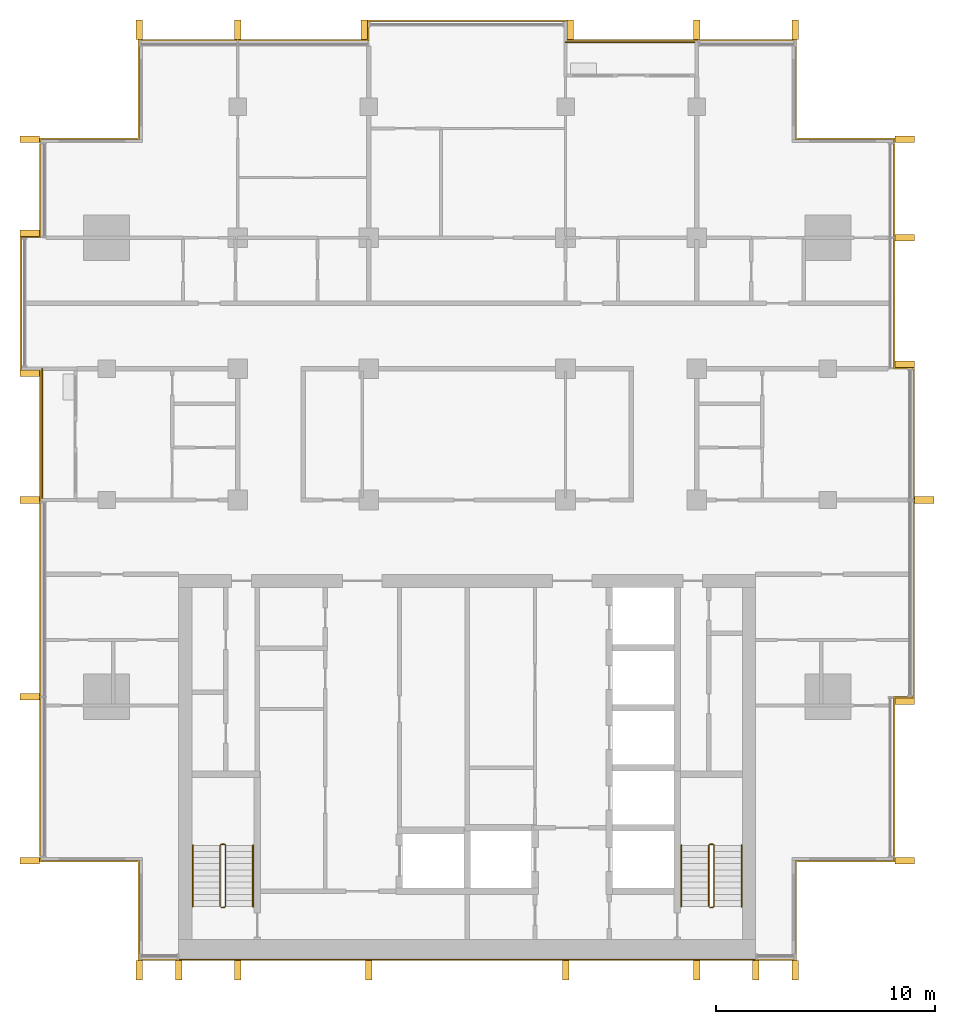
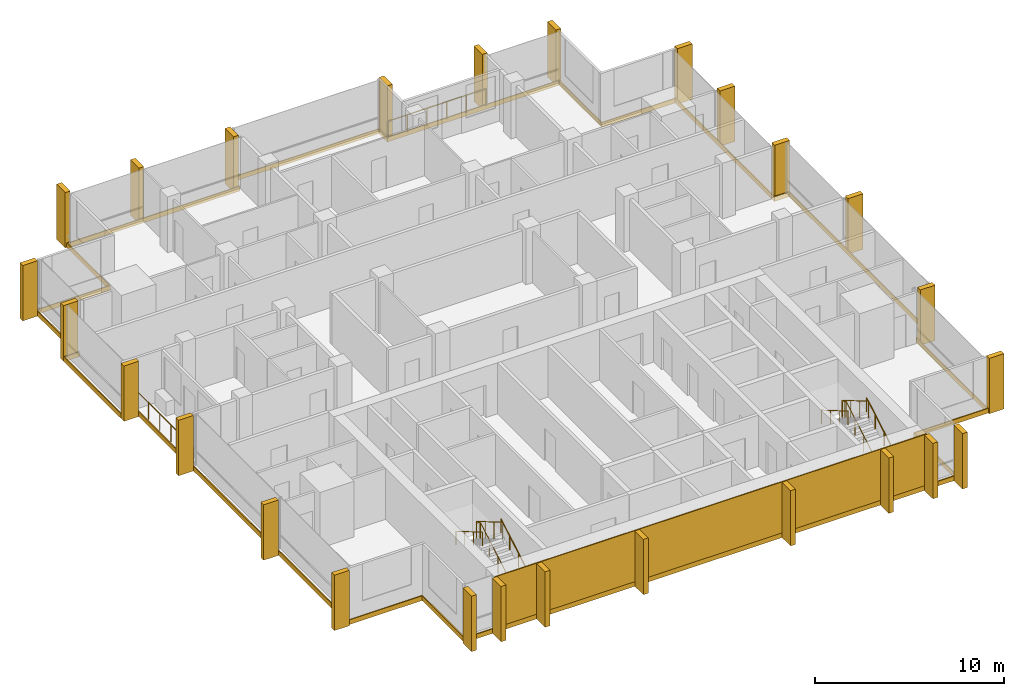
# One storey, part 16 of 16: 26 shading devices, 8 railings, 6 coverings.
"""IFC4 building model written with IfcOpenShell, lengths in metres."""

from ifc_helpers import new_model, si_unit, direction, frame, origin, origin_2d, place, context, subcontext, project, spatial, polyline, rectangle, circle, outline, extrude, material, layer, layer_set, type_object, element, save


model = new_model("IFC4")

# Units and contexts
model_context = context("Model", 3, precision=1e-05, world=origin(), true_north=direction((0.0, 1.0)))
body_context = subcontext(model_context, "Body", "Model", "MODEL_VIEW")
ifc_project = project(units=[si_unit("LENGTHUNIT", "METRE"), si_unit("AREAUNIT", "SQUARE_METRE"), si_unit("VOLUMEUNIT", "CUBIC_METRE"), si_unit("PLANEANGLEUNIT", "RADIAN"), si_unit("MASSUNIT", "GRAM", prefix="KILO")], contexts=[model_context])

# Site, building, storey
site_placement = place(None, origin())
site = spatial("IfcSite", under=ifc_project, at=site_placement, CompositionType="ELEMENT")
building_placement = place(site_placement, origin())
building = spatial("IfcBuilding", under=site, at=building_placement, Name="Finial Court Residences", CompositionType="ELEMENT")
storey_placement = place(building_placement, frame((0.0, 0.0, 233.89990234375)))
storey = spatial("IfcBuildingStorey", under=building, at=storey_placement, Name="L59", CompositionType="ELEMENT", Elevation=233.89990234375)

# Railings
ifc_material_1 = material(Name="Bronze anodised aluminium", Category="aluminium")
railing_type_1 = type_object("IfcRailingType", Name="Balcony guard 1100", PredefinedType="GUARDRAIL", material=ifc_material_1)
railing_1_placement = place(storey_placement, frame((4.5, 16.449951171875, 0.0)))
element("IfcRailing", 1, at=railing_1_placement, inside=storey, type_object=railing_type_1, Name="E-L59-BALN4-R", PredefinedType="GUARDRAIL", context=body_context, shape_type="SweptSolid", body=[
    extrude(circle(Radius=0.02392578125, at=origin_2d()), frame((0.0, 0.0, 1.076171875), z_axis=(1.0, 0.0, 0.0), x_axis=(0.0, 1.0, 0.0)), (0.0, 0.0, 1.0), 6.0),
    extrude(circle(Radius=0.02099609375, at=origin_2d()), origin(), (0.0, 0.0, 1.0), 1.052001953125),
    extrude(circle(Radius=0.02099609375, at=origin_2d()), frame((1.199951171875, 0.0, 0.0)), (0.0, 0.0, 1.0), 1.052001953125),
    extrude(circle(Radius=0.02099609375, at=origin_2d()), frame((2.39990234375, 0.0, 0.0)), (0.0, 0.0, 1.0), 1.052001953125),
    extrude(circle(Radius=0.02099609375, at=origin_2d()), frame((3.60009765625, 0.0, 0.0)), (0.0, 0.0, 1.0), 1.052001953125),
    extrude(circle(Radius=0.02099609375, at=origin_2d()), frame((4.800048828125, 0.0, 0.0)), (0.0, 0.0, 1.0), 1.052001953125),
    extrude(circle(Radius=0.02099609375, at=origin_2d()), frame((6.0, 0.0, 0.0)), (0.0, 0.0, 1.0), 1.052001953125),
])
railing_2_placement = place(storey_placement, frame((-19.449951171875, -4.5, 0.0)))
element("IfcRailing", 2, at=railing_2_placement, inside=storey, type_object=railing_type_1, Name="E-L59-BALW3-R", PredefinedType="GUARDRAIL", context=body_context, shape_type="SweptSolid", body=[
    extrude(circle(Radius=0.02392578125, at=origin_2d()), frame((0.0, 0.0, 1.076171875), z_axis=(0.0, 1.0, 0.0), x_axis=(-1.0, 0.0, 0.0)), (0.0, 0.0, 1.0), 6.0),
    extrude(circle(Radius=0.02099609375, at=origin_2d()), origin(), (0.0, 0.0, 1.0), 1.052001953125),
    extrude(circle(Radius=0.02099609375, at=origin_2d()), frame((0.0, 1.199951171875, 0.0)), (0.0, 0.0, 1.0), 1.052001953125),
    extrude(circle(Radius=0.02099609375, at=origin_2d()), frame((0.0, 2.39990234375, 0.0)), (0.0, 0.0, 1.0), 1.052001953125),
    extrude(circle(Radius=0.02099609375, at=origin_2d()), frame((0.0, 3.60009765625, 0.0)), (0.0, 0.0, 1.0), 1.052001953125),
    extrude(circle(Radius=0.02099609375, at=origin_2d()), frame((0.0, 4.800048828125, 0.0)), (0.0, 0.0, 1.0), 1.052001953125),
    extrude(circle(Radius=0.02099609375, at=origin_2d()), frame((0.0, 6.0, 0.0)), (0.0, 0.0, 1.0), 1.052001953125),
])

# Coverings
ifc_material_2 = material(Name="Natural limestone", Category="masonry")
ifc_layer_1 = layer(ifc_material_2, 0.06005859375)
ifc_layer_set_1 = layer_set([ifc_layer_1], Name="Limestone cladding to the blind core face 60")
covering_type_1 = type_object("IfcCoveringType", Name="Limestone cladding to the blind core face 60", PredefinedType="CLADDING", material=ifc_layer_set_1)
covering_1_placement = place(storey_placement, origin())
element("IfcCovering", 3, at=covering_1_placement, inside=storey, type_object=covering_type_1, Name="E-L59-CLAD1", PredefinedType="CLADDING", context=body_context, shape_type="SweptSolid", body=[
    extrude(outline(polyline([(-10.5, -25.56005859375), (-10.5, -25.5), (-13.199951171875, -25.5), (-13.199951171875, -25.56005859375), (-10.5, -25.56005859375)])), origin(), (0.0, 0.0, 1.0), 3.300048828125),
])
covering_2_placement = place(storey_placement, origin())
element("IfcCovering", 4, at=covering_2_placement, inside=storey, type_object=covering_type_1, Name="E-L59-CLAD2", PredefinedType="CLADDING", context=body_context, shape_type="SweptSolid", body=[
    extrude(outline(polyline([(-4.5, -25.56005859375), (-4.5, -25.5), (-10.5, -25.5), (-10.5, -25.56005859375), (-4.5, -25.56005859375)])), origin(), (0.0, 0.0, 1.0), 3.300048828125),
])
covering_3_placement = place(storey_placement, origin())
element("IfcCovering", 5, at=covering_3_placement, inside=storey, type_object=covering_type_1, Name="E-L59-CLAD3", PredefinedType="CLADDING", context=body_context, shape_type="SweptSolid", body=[
    extrude(outline(polyline([(4.5, -25.56005859375), (4.5, -25.5), (-4.5, -25.5), (-4.5, -25.56005859375), (4.5, -25.56005859375)])), origin(), (0.0, 0.0, 1.0), 3.300048828125),
])
covering_4_placement = place(storey_placement, origin())
element("IfcCovering", 6, at=covering_4_placement, inside=storey, type_object=covering_type_1, Name="E-L59-CLAD4", PredefinedType="CLADDING", context=body_context, shape_type="SweptSolid", body=[
    extrude(outline(polyline([(10.5, -25.56005859375), (10.5, -25.5), (4.5, -25.5), (4.5, -25.56005859375), (10.5, -25.56005859375)])), origin(), (0.0, 0.0, 1.0), 3.300048828125),
])
covering_5_placement = place(storey_placement, origin())
element("IfcCovering", 7, at=covering_5_placement, inside=storey, type_object=covering_type_1, Name="E-L59-CLAD5", PredefinedType="CLADDING", context=body_context, shape_type="SweptSolid", body=[
    extrude(outline(polyline([(13.199951171875, -25.56005859375), (13.199951171875, -25.5), (10.5, -25.5), (10.5, -25.56005859375), (13.199951171875, -25.56005859375)])), origin(), (0.0, 0.0, 1.0), 3.300048828125),
])

# Shading devices
shading_device_type = type_object("IfcShadingDeviceType", Name="Limestone fin 300 x 900", PredefinedType="USERDEFINED", material=ifc_material_2)
for number, where, z_axis, x_axis, name in (
    (8, (-15.0, 17.010009765625, -0.300048828125), (0.0, 0.0, 1.0), (1.0, 0.0, 0.0), "E-L59-FIN-N1"),
    (9, (-10.5, 17.010009765625, -0.300048828125), (0.0, 0.0, 1.0), (1.0, 0.0, 0.0), "E-L59-FIN-N2"),
    (10, (-4.7099609375, 17.010009765625, -0.300048828125), (0.0, 0.0, 1.0), (1.0, 0.0, 0.0), "E-L59-FIN-N3"),
    (11, (4.7099609375, 17.010009765625, -0.300048828125), (0.0, 0.0, 1.0), (1.0, 0.0, 0.0), "E-L59-FIN-N4"),
    (12, (10.5, 17.010009765625, -0.300048828125), (0.0, 0.0, 1.0), (1.0, 0.0, 0.0), "E-L59-FIN-N5"),
    (13, (15.0, 17.010009765625, -0.300048828125), (0.0, 0.0, 1.0), (1.0, 0.0, 0.0), "E-L59-FIN-N6"),
):
    element("IfcShadingDevice", number, at=place(storey_placement, frame(where, z_axis=z_axis, x_axis=x_axis)), inside=storey, type_object=shading_device_type, Name=name, ObjectType="FIN", PredefinedType="USERDEFINED", context=body_context, shape_type="SweptSolid", body=[
        extrude(rectangle(XDim=0.300048828125, YDim=0.89990234375, at=origin_2d()), origin(), (0.0, 0.0, 1.0), 3.580078125),
    ])
for number, where, z_axis, x_axis, name in (
    (14, (20.010009765625, -21.0, -0.300048828125), (0.0, 0.0, 1.0), (1.0, 0.0, 0.0), "E-L59-FIN-E7"),
    (15, (20.010009765625, -13.7099609375, -0.300048828125), (0.0, 0.0, 1.0), (1.0, 0.0, 0.0), "E-L59-FIN-E8"),
    (16, (20.909912109375, -4.5, -0.300048828125), (0.0, 0.0, 1.0), (1.0, 0.0, 0.0), "E-L59-FIN-E9"),
    (17, (20.010009765625, 1.7099609375, -0.300048828125), (0.0, 0.0, 1.0), (1.0, 0.0, 0.0), "E-L59-FIN-E10"),
    (18, (20.010009765625, 7.5, -0.300048828125), (0.0, 0.0, 1.0), (1.0, 0.0, 0.0), "E-L59-FIN-E11"),
    (19, (20.010009765625, 12.0, -0.300048828125), (0.0, 0.0, 1.0), (1.0, 0.0, 0.0), "E-L59-FIN-E12"),
):
    element("IfcShadingDevice", number, at=place(storey_placement, frame(where, z_axis=z_axis, x_axis=x_axis)), inside=storey, type_object=shading_device_type, Name=name, ObjectType="FIN", PredefinedType="USERDEFINED", context=body_context, shape_type="SweptSolid", body=[
        extrude(rectangle(XDim=0.89990234375, YDim=0.300048828125, at=origin_2d()), origin(), (0.0, 0.0, 1.0), 3.580078125),
    ])
for number, where, z_axis, x_axis, name in (
    (20, (-15.0, -26.010009765625, -0.300048828125), (0.0, 0.0, 1.0), (1.0, 0.0, 0.0), "E-L59-FIN-S13"),
    (21, (-13.199951171875, -26.010009765625, -0.300048828125), (0.0, 0.0, 1.0), (1.0, 0.0, 0.0), "E-L59-FIN-S14"),
    (22, (-10.5, -26.010009765625, -0.300048828125), (0.0, 0.0, 1.0), (1.0, 0.0, 0.0), "E-L59-FIN-S15"),
    (23, (-4.5, -26.010009765625, -0.300048828125), (0.0, 0.0, 1.0), (1.0, 0.0, 0.0), "E-L59-FIN-S16"),
    (24, (4.5, -26.010009765625, -0.300048828125), (0.0, 0.0, 1.0), (1.0, 0.0, 0.0), "E-L59-FIN-S17"),
    (25, (10.5, -26.010009765625, -0.300048828125), (0.0, 0.0, 1.0), (1.0, 0.0, 0.0), "E-L59-FIN-S18"),
    (26, (13.199951171875, -26.010009765625, -0.300048828125), (0.0, 0.0, 1.0), (1.0, 0.0, 0.0), "E-L59-FIN-S19"),
    (27, (15.0, -26.010009765625, -0.300048828125), (0.0, 0.0, 1.0), (1.0, 0.0, 0.0), "E-L59-FIN-S20"),
):
    element("IfcShadingDevice", number, at=place(storey_placement, frame(where, z_axis=z_axis, x_axis=x_axis)), inside=storey, type_object=shading_device_type, Name=name, ObjectType="FIN", PredefinedType="USERDEFINED", context=body_context, shape_type="SweptSolid", body=[
        extrude(rectangle(XDim=0.300048828125, YDim=0.89990234375, at=origin_2d()), origin(), (0.0, 0.0, 1.0), 3.580078125),
    ])
for number, where, z_axis, x_axis, name in (
    (28, (-20.010009765625, -21.0, -0.300048828125), (0.0, 0.0, 1.0), (1.0, 0.0, 0.0), "E-L59-FIN-W21"),
    (29, (-20.010009765625, -13.5, -0.300048828125), (0.0, 0.0, 1.0), (1.0, 0.0, 0.0), "E-L59-FIN-W22"),
    (30, (-20.010009765625, -4.5, -0.300048828125), (0.0, 0.0, 1.0), (1.0, 0.0, 0.0), "E-L59-FIN-W23"),
    (31, (-20.010009765625, 1.2900390625, -0.300048828125), (0.0, 0.0, 1.0), (1.0, 0.0, 0.0), "E-L59-FIN-W24"),
    (32, (-20.010009765625, 7.7099609375, -0.300048828125), (0.0, 0.0, 1.0), (1.0, 0.0, 0.0), "E-L59-FIN-W25"),
    (33, (-20.010009765625, 12.0, -0.300048828125), (0.0, 0.0, 1.0), (1.0, 0.0, 0.0), "E-L59-FIN-W26"),
):
    element("IfcShadingDevice", number, at=place(storey_placement, frame(where, z_axis=z_axis, x_axis=x_axis)), inside=storey, type_object=shading_device_type, Name=name, ObjectType="FIN", PredefinedType="USERDEFINED", context=body_context, shape_type="SweptSolid", body=[
        extrude(rectangle(XDim=0.89990234375, YDim=0.300048828125, at=origin_2d()), origin(), (0.0, 0.0, 1.0), 3.580078125),
    ])

# Covering
ifc_material_3 = material(Name="Pale limestone", Category="masonry")
ifc_layer_2 = layer(ifc_material_3, 0.06005859375)
ifc_layer_set_2 = layer_set([ifc_layer_2], Name="Pale limestone slab-edge band 60")
covering_type_2 = type_object("IfcCoveringType", Name="Pale limestone slab-edge band 60", PredefinedType="CLADDING", material=ifc_layer_set_2)
covering_6_placement = place(storey_placement, frame((0.0, 0.0, -0.2998046875)))
element("IfcCovering", 34, at=covering_6_placement, inside=storey, type_object=covering_type_2, Name="E-L59-BAND1", PredefinedType="CLADDING", context=body_context, shape_type="SweptSolid", body=[
    extrude(outline(polyline([(15.06005859375, -21.06005859375), (15.06005859375, -25.56005859375), (-15.06005859375, -25.56005859375), (-15.06005859375, -21.06005859375), (-19.56005859375, -21.06005859375), (-19.56005859375, 1.43994140625), (-20.4599609375, 1.43994140625), (-20.4599609375, 7.56005859375), (-19.56005859375, 7.56005859375), (-19.56005859375, 12.06005859375), (-15.06005859375, 12.06005859375), (-15.06005859375, 16.56005859375), (-4.56005859375, 16.56005859375), (-4.56005859375, 17.4599609375), (4.56005859375, 17.4599609375), (4.56005859375, 16.56005859375), (15.06005859375, 16.56005859375), (15.06005859375, 12.06005859375), (19.56005859375, 12.06005859375), (19.56005859375, 1.56005859375), (20.4599609375, 1.56005859375), (20.4599609375, -13.56005859375), (19.56005859375, -13.56005859375), (19.56005859375, -21.06005859375), (15.06005859375, -21.06005859375)]), holes=[polyline([(19.5, -13.5), (20.39990234375, -13.5), (20.39990234375, -4.5), (20.39990234375, 1.5), (19.5, 1.5), (19.5, 12.0), (15.0, 12.0), (15.0, 16.5), (10.5, 16.5), (4.5, 16.5), (4.5, 17.39990234375), (-4.5, 17.39990234375), (-4.5, 16.5), (-15.0, 16.5), (-15.0, 12.0), (-19.5, 12.0), (-19.5, 7.5), (-20.39990234375, 7.5), (-20.39990234375, 1.5), (-19.5, 1.5), (-19.5, -4.5), (-19.5, -21.0), (-15.0, -21.0), (-15.0, -25.5), (15.0, -25.5), (15.0, -21.0), (19.5, -21.0), (19.5, -13.5)])]), origin(), (0.0, 0.0, 1.0), 0.2998046875),
])

# Railings
ifc_material_4 = material(Name="Stainless steel railing", Category="steel")
railing_type_2 = type_object("IfcRailingType", Name="Stair guard 1100", PredefinedType="GUARDRAIL", material=ifc_material_4)
railing_3_placement = place(storey_placement, frame((-11.10009765625, -23.14990234375, 0.0)))
element("IfcRailing", 35, at=railing_3_placement, inside=storey, type_object=railing_type_2, Name="L59 ST-1 stair guard 1", PredefinedType="GUARDRAIL", context=body_context, shape_type="SweptSolid", body=[
    extrude(circle(Radius=0.02392578125, at=origin_2d()), frame((0.0, 0.0, 1.076171875), z_axis=(-1.0, 0.0, 0.0), x_axis=(0.0, -1.0, 0.0)), (0.0, 0.0, 1.0), 0.14990234375),
    extrude(circle(Radius=0.02392578125, at=origin_2d()), frame((-0.14990234375, 0.0, 1.076171875), z_axis=(0.759565762229, 0.189195867515, 0.622306015208), x_axis=(-0.241699205484, 0.970351222016, 0.0)), (0.0, 0.0, 1.0), 0.26318359375),
    extrude(circle(Radius=0.02392578125, at=origin_2d()), frame((0.050048828125, 0.0498046875, 1.23974609375), z_axis=(0.0, 0.863393664356, 0.504530851732), x_axis=(-1.0, 0.0, 0.0)), (0.0, 0.0, 1.0), 3.2431640625),
    extrude(circle(Radius=0.02392578125, at=origin_2d()), frame((0.050048828125, 2.849853515625, 2.8759765625), z_axis=(-0.707106781187, 0.707106781187, 0.0), x_axis=(-0.707106781187, -0.707106781187, 0.0)), (0.0, 0.0, 1.0), 0.07080078125),
    extrude(circle(Radius=0.02392578125, at=origin_2d()), frame((0.0, 2.89990234375, 2.8759765625), z_axis=(-1.0, 0.0, 0.0), x_axis=(0.0, -1.0, 0.0)), (0.0, 0.0, 1.0), 0.14990234375),
    extrude(circle(Radius=0.02392578125, at=origin_2d()), frame((-0.14990234375, 2.89990234375, 2.8759765625), z_axis=(-0.280808744504, -0.280808744504, 0.917765164963), x_axis=(0.707106781187, -0.707106781187, 0.0)), (0.0, 0.0, 1.0), 0.17822265625),
    extrude(circle(Radius=0.02392578125, at=origin_2d()), frame((-0.199951171875, 2.849853515625, 3.03955078125), z_axis=(0.0, -0.863360870873, 0.504586966384), x_axis=(1.0, 0.0, 0.0)), (0.0, 0.0, 1.0), 3.2431640625),
    extrude(circle(Radius=0.02099609375, at=origin_2d()), origin(), (0.0, 0.0, 1.0), 1.052001953125),
    extrude(circle(Radius=0.02099609375, at=origin_2d()), frame((-0.14990234375, 0.0, 0.0)), (0.0, 0.0, 1.0), 1.052001953125),
    extrude(circle(Radius=0.02099609375, at=origin_2d()), frame((0.050048828125, 0.0498046875, 0.163818359375)), (0.0, 0.0, 1.0), 1.052001953125),
    extrude(circle(Radius=0.02099609375, at=origin_2d()), frame((0.050048828125, 0.983154296875, 0.709228515625)), (0.0, 0.0, 1.0), 1.052001953125),
    extrude(circle(Radius=0.02099609375, at=origin_2d()), frame((0.050048828125, 1.91650390625, 1.254638671875)), (0.0, 0.0, 1.0), 1.052001953125),
    extrude(circle(Radius=0.02099609375, at=origin_2d()), frame((0.050048828125, 2.849853515625, 1.800048828125)), (0.0, 0.0, 1.0), 1.052001953125),
    extrude(circle(Radius=0.02099609375, at=origin_2d()), frame((0.0, 2.89990234375, 1.800048828125)), (0.0, 0.0, 1.0), 1.052001953125),
    extrude(circle(Radius=0.02099609375, at=origin_2d()), frame((-0.14990234375, 2.89990234375, 1.800048828125)), (0.0, 0.0, 1.0), 1.052001953125),
    extrude(circle(Radius=0.02099609375, at=origin_2d()), frame((-0.199951171875, 2.849853515625, 1.963623046875)), (0.0, 0.0, 1.0), 1.052001953125),
    extrude(circle(Radius=0.02099609375, at=origin_2d()), frame((-0.199951171875, 1.91650390625, 2.509033203125)), (0.0, 0.0, 1.0), 1.052001953125),
    extrude(circle(Radius=0.02099609375, at=origin_2d()), frame((-0.199951171875, 0.983154296875, 3.0546875)), (0.0, 0.0, 1.0), 1.052001953125),
    extrude(circle(Radius=0.02099609375, at=origin_2d()), frame((-0.199951171875, 0.0498046875, 3.60009765625)), (0.0, 0.0, 1.0), 1.052001953125),
])
railing_4_placement = place(storey_placement, frame((11.25, -23.14990234375, 0.0)))
element("IfcRailing", 36, at=railing_4_placement, inside=storey, type_object=railing_type_2, Name="L59 ST-2 stair guard 1", PredefinedType="GUARDRAIL", context=body_context, shape_type="SweptSolid", body=[
    extrude(circle(Radius=0.02392578125, at=origin_2d()), frame((0.0, 0.0, 1.076171875), z_axis=(-1.0, 0.0, 0.0), x_axis=(0.0, -1.0, 0.0)), (0.0, 0.0, 1.0), 0.14990234375),
    extrude(circle(Radius=0.02392578125, at=origin_2d()), frame((-0.14990234375, 0.0, 1.076171875), z_axis=(0.759565762229, 0.189195867515, 0.622306015208), x_axis=(-0.241699205484, 0.970351222016, 0.0)), (0.0, 0.0, 1.0), 0.26318359375),
    extrude(circle(Radius=0.02392578125, at=origin_2d()), frame((0.050048828125, 0.0498046875, 1.23974609375), z_axis=(0.0, 0.863393664356, 0.504530851732), x_axis=(-1.0, 0.0, 0.0)), (0.0, 0.0, 1.0), 3.2431640625),
    extrude(circle(Radius=0.02392578125, at=origin_2d()), frame((0.050048828125, 2.849853515625, 2.8759765625), z_axis=(-0.707106781187, 0.707106781187, 0.0), x_axis=(-0.707106781187, -0.707106781187, 0.0)), (0.0, 0.0, 1.0), 0.07080078125),
    extrude(circle(Radius=0.02392578125, at=origin_2d()), frame((0.0, 2.89990234375, 2.8759765625), z_axis=(-1.0, 0.0, 0.0), x_axis=(0.0, -1.0, 0.0)), (0.0, 0.0, 1.0), 0.14990234375),
    extrude(circle(Radius=0.02392578125, at=origin_2d()), frame((-0.14990234375, 2.89990234375, 2.8759765625), z_axis=(-0.280808744504, -0.280808744504, 0.917765164963), x_axis=(0.707106781187, -0.707106781187, 0.0)), (0.0, 0.0, 1.0), 0.17822265625),
    extrude(circle(Radius=0.02392578125, at=origin_2d()), frame((-0.199951171875, 2.849853515625, 3.03955078125), z_axis=(0.0, -0.863360870873, 0.504586966384), x_axis=(1.0, 0.0, 0.0)), (0.0, 0.0, 1.0), 3.2431640625),
    extrude(circle(Radius=0.02099609375, at=origin_2d()), origin(), (0.0, 0.0, 1.0), 1.052001953125),
    extrude(circle(Radius=0.02099609375, at=origin_2d()), frame((-0.14990234375, 0.0, 0.0)), (0.0, 0.0, 1.0), 1.052001953125),
    extrude(circle(Radius=0.02099609375, at=origin_2d()), frame((0.050048828125, 0.0498046875, 0.163818359375)), (0.0, 0.0, 1.0), 1.052001953125),
    extrude(circle(Radius=0.02099609375, at=origin_2d()), frame((0.050048828125, 0.983154296875, 0.709228515625)), (0.0, 0.0, 1.0), 1.052001953125),
    extrude(circle(Radius=0.02099609375, at=origin_2d()), frame((0.050048828125, 1.91650390625, 1.254638671875)), (0.0, 0.0, 1.0), 1.052001953125),
    extrude(circle(Radius=0.02099609375, at=origin_2d()), frame((0.050048828125, 2.849853515625, 1.800048828125)), (0.0, 0.0, 1.0), 1.052001953125),
    extrude(circle(Radius=0.02099609375, at=origin_2d()), frame((0.0, 2.89990234375, 1.800048828125)), (0.0, 0.0, 1.0), 1.052001953125),
    extrude(circle(Radius=0.02099609375, at=origin_2d()), frame((-0.14990234375, 2.89990234375, 1.800048828125)), (0.0, 0.0, 1.0), 1.052001953125),
    extrude(circle(Radius=0.02099609375, at=origin_2d()), frame((-0.199951171875, 2.849853515625, 1.963623046875)), (0.0, 0.0, 1.0), 1.052001953125),
    extrude(circle(Radius=0.02099609375, at=origin_2d()), frame((-0.199951171875, 1.91650390625, 2.509033203125)), (0.0, 0.0, 1.0), 1.052001953125),
    extrude(circle(Radius=0.02099609375, at=origin_2d()), frame((-0.199951171875, 0.983154296875, 3.0546875)), (0.0, 0.0, 1.0), 1.052001953125),
    extrude(circle(Radius=0.02099609375, at=origin_2d()), frame((-0.199951171875, 0.0498046875, 3.60009765625)), (0.0, 0.0, 1.0), 1.052001953125),
])
railing_type_3 = type_object("IfcRailingType", Name="Stair handrail 900", PredefinedType="HANDRAIL", material=ifc_material_4)
railing_5_placement = place(storey_placement, frame((-9.800048828125, -23.10009765625, 0.163818359375)))
element("IfcRailing", 37, at=railing_5_placement, inside=storey, type_object=railing_type_3, Name="L59 ST-1 stair handrail 1", PredefinedType="HANDRAIL", context=body_context, shape_type="SweptSolid", body=[
    extrude(circle(Radius=0.02392578125, at=origin_2d()), frame((0.0, 0.0, 0.8759765625), z_axis=(0.0, 0.863393664356, 0.504530851732), x_axis=(-1.0, 0.0, 0.0)), (0.0, 0.0, 1.0), 3.2431640625),
    extrude(circle(Radius=0.02099609375, at=origin_2d()), origin(), (0.0, 0.0, 1.0), 0.851806640625),
    extrude(circle(Radius=0.02099609375, at=origin_2d()), frame((0.0, 0.933349609375, 0.54541015625)), (0.0, 0.0, 1.0), 0.851806640625),
    extrude(circle(Radius=0.02099609375, at=origin_2d()), frame((0.0, 1.86669921875, 1.0908203125)), (0.0, 0.0, 1.0), 0.851806640625),
    extrude(circle(Radius=0.02099609375, at=origin_2d()), frame((0.0, 2.800048828125, 1.63623046875)), (0.0, 0.0, 1.0), 0.851806640625),
])
railing_6_placement = place(storey_placement, frame((-12.550048828125, -20.300048828125, 1.963623046875)))
element("IfcRailing", 38, at=railing_6_placement, inside=storey, type_object=railing_type_3, Name="L59 ST-1 stair handrail 2", PredefinedType="HANDRAIL", context=body_context, shape_type="SweptSolid", body=[
    extrude(circle(Radius=0.02392578125, at=origin_2d()), frame((0.0, 0.0, 0.8759765625), z_axis=(0.0, -0.863360870873, 0.504586966384), x_axis=(1.0, 0.0, 0.0)), (0.0, 0.0, 1.0), 3.2431640625),
    extrude(circle(Radius=0.02099609375, at=origin_2d()), origin(), (0.0, 0.0, 1.0), 0.851806640625),
    extrude(circle(Radius=0.02099609375, at=origin_2d()), frame((0.0, -0.933349609375, 0.54541015625)), (0.0, 0.0, 1.0), 0.851806640625),
    extrude(circle(Radius=0.02099609375, at=origin_2d()), frame((0.0, -1.86669921875, 1.091064453125)), (0.0, 0.0, 1.0), 0.851806640625),
    extrude(circle(Radius=0.02099609375, at=origin_2d()), frame((0.0, -2.800048828125, 1.636474609375)), (0.0, 0.0, 1.0), 0.851806640625),
])
railing_7_placement = place(storey_placement, frame((12.550048828125, -23.10009765625, 0.163818359375)))
element("IfcRailing", 39, at=railing_7_placement, inside=storey, type_object=railing_type_3, Name="L59 ST-2 stair handrail 1", PredefinedType="HANDRAIL", context=body_context, shape_type="SweptSolid", body=[
    extrude(circle(Radius=0.02392578125, at=origin_2d()), frame((0.0, 0.0, 0.8759765625), z_axis=(0.0, 0.863393664356, 0.504530851732), x_axis=(-1.0, 0.0, 0.0)), (0.0, 0.0, 1.0), 3.2431640625),
    extrude(circle(Radius=0.02099609375, at=origin_2d()), origin(), (0.0, 0.0, 1.0), 0.851806640625),
    extrude(circle(Radius=0.02099609375, at=origin_2d()), frame((0.0, 0.933349609375, 0.54541015625)), (0.0, 0.0, 1.0), 0.851806640625),
    extrude(circle(Radius=0.02099609375, at=origin_2d()), frame((0.0, 1.86669921875, 1.0908203125)), (0.0, 0.0, 1.0), 0.851806640625),
    extrude(circle(Radius=0.02099609375, at=origin_2d()), frame((0.0, 2.800048828125, 1.63623046875)), (0.0, 0.0, 1.0), 0.851806640625),
])
railing_8_placement = place(storey_placement, frame((9.800048828125, -20.300048828125, 1.963623046875)))
element("IfcRailing", 40, at=railing_8_placement, inside=storey, type_object=railing_type_3, Name="L59 ST-2 stair handrail 2", PredefinedType="HANDRAIL", context=body_context, shape_type="SweptSolid", body=[
    extrude(circle(Radius=0.02392578125, at=origin_2d()), frame((0.0, 0.0, 0.8759765625), z_axis=(0.0, -0.863360870873, 0.504586966384), x_axis=(1.0, 0.0, 0.0)), (0.0, 0.0, 1.0), 3.2431640625),
    extrude(circle(Radius=0.02099609375, at=origin_2d()), origin(), (0.0, 0.0, 1.0), 0.851806640625),
    extrude(circle(Radius=0.02099609375, at=origin_2d()), frame((0.0, -0.933349609375, 0.54541015625)), (0.0, 0.0, 1.0), 0.851806640625),
    extrude(circle(Radius=0.02099609375, at=origin_2d()), frame((0.0, -1.86669921875, 1.091064453125)), (0.0, 0.0, 1.0), 0.851806640625),
    extrude(circle(Radius=0.02099609375, at=origin_2d()), frame((0.0, -2.800048828125, 1.636474609375)), (0.0, 0.0, 1.0), 0.851806640625),
])

save(model, "model.ifc")
